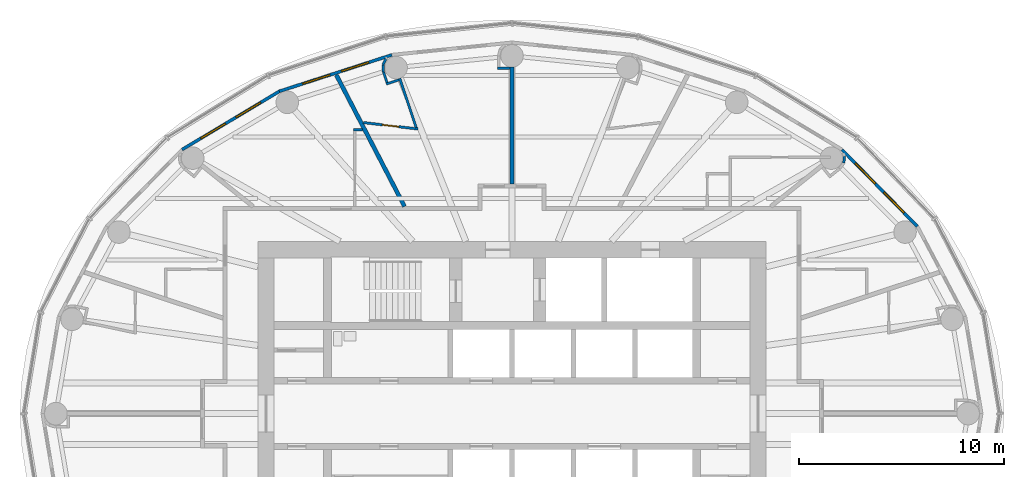
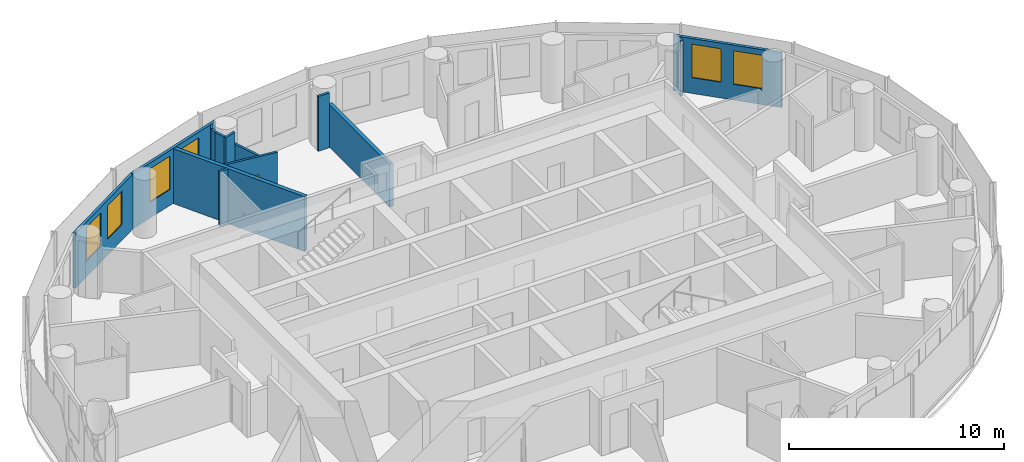
# One storey, part 12 of 16: 14 walls, 6 windows, 1 door, 7 openings.
"""IFC4 building model written with IfcOpenShell, lengths in metres."""

import ifcopenshell
import ifcopenshell.guid

model = None  # the IFC model being written
_history = None  # IfcOwnerHistory: only IFC2X3 demands one
_inside = {}  # id of a spatial element -> (the spatial element, [elements in it])
_under = {}  # id of a project, library or spatial element -> (it, [spatial elements below it])
_declared = {}  # id of a project -> (the project, [libraries it declares])
_typed = {}  # id of a type object -> (the type object, [elements of that type])
_made_of = {}  # id of a material, layer set ... -> (it, [elements and type objects made of it])


def new_model(schema):
    """Start an empty IFC model of exactly this schema.

    Asked for "IFC4X3", IfcOpenShell would pick the latest addendum, in which some entities
    have other attributes; the version numbers below select the first issue.
    IFC2X3 requires an IfcOwnerHistory on every rooted entity: one is made here for all.
    """
    global model, _history
    if schema == "IFC4X3":
        model = ifcopenshell.file(schema_version=(4, 3, 0, 0))
    else:
        model = ifcopenshell.file(schema=schema)
    _inside.clear()
    _under.clear()
    _declared.clear()
    _typed.clear()
    _made_of.clear()
    _history = None
    if model.schema == "IFC2X3":
        org = make("IfcOrganization", Name="unknown")
        user = make(
            "IfcPersonAndOrganization",
            ThePerson=make("IfcPerson", FamilyName="unknown"),
            TheOrganization=org,
        )
        app = make(
            "IfcApplication",
            ApplicationDeveloper=org,
            Version="unknown",
            ApplicationFullName="unknown",
            ApplicationIdentifier="unknown",
        )
        _history = make(
            "IfcOwnerHistory",
            OwningUser=user,
            OwningApplication=app,
            ChangeAction="ADDED",
            CreationDate=0,
        )
    return model


def make(cls, **values):
    """One entity of the class cls with the attributes given. An attribute that is None is left unset."""
    return model.create_entity(
        cls, **{name: value for name, value in values.items() if value is not None}
    )


def rooted(cls, **values):
    """An entity with a GlobalId (a new one), such as an element, a storey or a relation."""
    return make(cls, GlobalId=ifcopenshell.guid.new(), OwnerHistory=_history, **values)


def si_unit(unit_type, name, prefix=None):
    """IfcSIUnit, for example si_unit("LENGTHUNIT", "METRE", prefix="MILLI")."""
    return make("IfcSIUnit", UnitType=unit_type, Prefix=prefix, Name=name)


def assignment(units):
    """IfcUnitAssignment: the units of a project."""
    return None if units is None else make("IfcUnitAssignment", Units=units)


def point(xyz):
    """IfcCartesianPoint."""
    return None if xyz is None else make("IfcCartesianPoint", Coordinates=xyz)


def direction(xyz):
    """IfcDirection."""
    return None if xyz is None else make("IfcDirection", DirectionRatios=xyz)


def frame(location, z_axis=None, x_axis=None):
    """IfcAxis2Placement3D, a coordinate frame: its origin and axes. An axis left out is left unset."""
    return make(
        "IfcAxis2Placement3D",
        Location=point(location),
        Axis=direction(z_axis),
        RefDirection=direction(x_axis),
    )


def frame_2d(location, x_axis=None):
    """IfcAxis2Placement2D, a coordinate frame in the plane: its origin and x axis."""
    return make(
        "IfcAxis2Placement2D", Location=point(location), RefDirection=direction(x_axis)
    )


def origin():
    """The frame at (0, 0, 0) with its axes left unset."""
    return frame((0.0, 0.0, 0.0))


def place(relative_to, where):
    """IfcLocalPlacement: puts the frame where relative to a parent placement (None: the world)."""
    return make(
        "IfcLocalPlacement", PlacementRelTo=relative_to, RelativePlacement=where
    )


def context(
    kind, dimensions, precision=None, world=None, true_north=None, identifier=None
):
    """IfcGeometricRepresentationContext, for example the 3D "Model" context."""
    return make(
        "IfcGeometricRepresentationContext",
        ContextIdentifier=identifier,
        ContextType=kind,
        CoordinateSpaceDimension=dimensions,
        Precision=precision,
        WorldCoordinateSystem=world,
        TrueNorth=true_north,
    )


def subcontext(parent, identifier, kind, view, scale=None):
    """IfcGeometricRepresentationSubContext, for example "Body" below "Model"."""
    return make(
        "IfcGeometricRepresentationSubContext",
        ContextIdentifier=identifier,
        ContextType=kind,
        ParentContext=parent,
        TargetScale=scale,
        TargetView=view,
    )


def project(units=None, contexts=None):
    """IfcProject with its units and contexts."""
    return rooted(
        "IfcProject",
        Name="project",
        RepresentationContexts=contexts,
        UnitsInContext=assignment(units),
    )


def spatial(cls, under=None, at=None, **own):
    """A site, building, storey or space (cls), placed at a placement, below another one or the project."""
    s = rooted(cls, ObjectPlacement=at, **own)
    if under is not None:
        _under.setdefault(under.id(), (under, []))[1].append(s)
    return s


def profile(cls, at=None, kind="AREA", **sizes):
    """A parametric profile (cls). Its sizes go by their IFC names, for example OverallWidth=200.0."""
    return make(cls, ProfileType=kind, Position=at, **sizes)


def rectangle(**sizes):
    """IfcRectangleProfileDef."""
    return profile("IfcRectangleProfileDef", **sizes)


def extrude(swept, where, along, depth):
    """IfcExtrudedAreaSolid: the profile swept, set in the frame where, extruded along a direction by depth."""
    return make(
        "IfcExtrudedAreaSolid",
        SweptArea=swept,
        Position=where,
        ExtrudedDirection=direction(along),
        Depth=depth,
    )


def shape(context_of_items, identifier, shape_type, items):
    """IfcShapeRepresentation: the items that make up one representation, for example the "Body"."""
    return make(
        "IfcShapeRepresentation",
        ContextOfItems=context_of_items,
        RepresentationIdentifier=identifier,
        RepresentationType=shape_type,
        Items=items,
    )


def material(Name=None, Category=None):
    """IfcMaterial."""
    return make("IfcMaterial", Name=Name, Category=Category)


def layer(
    of_material, thickness, ventilated=None, Name=None, Category=None, Priority=None
):
    """IfcMaterialLayer: one layer of a wall or slab, of a material (None: an air gap)."""
    return make(
        "IfcMaterialLayer",
        Material=of_material,
        LayerThickness=thickness,
        IsVentilated=ventilated,
        Name=Name,
        Category=Category,
        Priority=Priority,
    )


def layer_set(layers, Name=None):
    """IfcMaterialLayerSet."""
    return make("IfcMaterialLayerSet", MaterialLayers=layers, LayerSetName=Name)


def made_of(thing, what):
    """Note that an element or type object is made of a material, layer set ...; save() writes the relation."""
    if what is not None:
        _made_of.setdefault(what.id(), (what, []))[1].append(thing)
    return thing


def type_object(cls, material=None, **own):
    """A type object (cls), such as IfcWallType, which elements share."""
    return made_of(rooted(cls, **own), material)


def element(
    cls,
    number,
    at=None,
    inside=None,
    cuts=None,
    type_object=None,
    material=None,
    context=None,
    identifier="Body",
    shape_type=None,
    held_by="IfcProductDefinitionShape",
    body=None,
    shapes=None,
    **own,
):
    """One element of the class cls, such as IfcWall. Its Tag is "e" and its number.

    at: its placement. inside: the storey or other place that contains it. cuts: it is an
    opening in that element (IfcRelVoidsElement). A single representation is given by context,
    identifier, shape_type and body (its items); several are given by shapes. held_by: the class
    of the entity that holds the representations. save() writes the other relations.
    """
    e = rooted(cls, Tag="e%d" % number, ObjectPlacement=at, **own)
    if body is not None:
        shapes = [shape(context, identifier, shape_type, body)]
    if shapes is not None:
        e.Representation = make(held_by, Representations=shapes)
    if inside is not None:
        _inside.setdefault(inside.id(), (inside, []))[1].append(e)
    if cuts is not None:
        rooted(
            "IfcRelVoidsElement", RelatingBuildingElement=cuts, RelatedOpeningElement=e
        )
    if type_object is not None:
        _typed.setdefault(type_object.id(), (type_object, []))[1].append(e)
    return made_of(e, material)


def fill(opening, filler):
    """IfcRelFillsElement: the door or window that sits in an opening."""
    return rooted(
        "IfcRelFillsElement",
        RelatingOpeningElement=opening,
        RelatedBuildingElement=filler,
    )


def aggregate(whole, parts):
    """IfcRelAggregates: a whole, such as a stair, and the parts it consists of."""
    return rooted("IfcRelAggregates", RelatingObject=whole, RelatedObjects=parts)


def save(model, path):
    """Write the relations noted so far, then the file.

    IfcRelAggregates (storeys below a building ...), IfcRelContainedInSpatialStructure (elements
    in a storey), IfcRelDefinesByType, IfcRelAssociatesMaterial and IfcRelDeclares: one each for
    every whole, place, type object, material and project.
    """
    for whole, parts in _under.values():
        aggregate(whole, parts)
    for where, things in _inside.values():
        rooted(
            "IfcRelContainedInSpatialStructure",
            RelatedElements=things,
            RelatingStructure=where,
        )
    for kind, things in _typed.values():
        rooted("IfcRelDefinesByType", RelatedObjects=things, RelatingType=kind)
    for what, things in _made_of.values():
        rooted("IfcRelAssociatesMaterial", RelatedObjects=things, RelatingMaterial=what)
    for by, libraries in _declared.values():
        rooted("IfcRelDeclares", RelatingContext=by, RelatedDefinitions=libraries)
    model.write(path)


model = new_model("IFC4")

# Units and contexts
model_context = context("Model", 3, precision=1e-05, world=origin(), true_north=direction((0.0, 1.0)))
body_context = subcontext(model_context, "Body", "Model", "MODEL_VIEW")
ifc_project = project(units=[si_unit("LENGTHUNIT", "METRE"), si_unit("AREAUNIT", "SQUARE_METRE"), si_unit("VOLUMEUNIT", "CUBIC_METRE"), si_unit("PLANEANGLEUNIT", "RADIAN"), si_unit("MASSUNIT", "GRAM", prefix="KILO")], contexts=[model_context])

# Site, building, storey
site_placement = place(None, origin())
site = spatial("IfcSite", under=ifc_project, at=site_placement, CompositionType="ELEMENT")
building_placement = place(site_placement, origin())
building = spatial("IfcBuilding", under=site, at=building_placement, Name="Hankou Lantern Tower", CompositionType="ELEMENT")
storey_placement = place(building_placement, frame((0.0, 0.0, 153.300048828125)))
storey = spatial("IfcBuildingStorey", under=building, at=storey_placement, Name="L40", CompositionType="ELEMENT", Elevation=153.300048828125)

# Wall, openings, windows
ifc_material_1 = material(Name="Aluminium spandrel panel on steel studs", Category="steel")
ifc_layer_1 = layer(ifc_material_1, 0.14990234375)
ifc_layer_set_1 = layer_set([ifc_layer_1], Name="Aluminium spandrel panel on steel studs")
wall_type_1 = type_object("IfcWallType", Name="EW1 INNER SKIN WALL 150", PredefinedType="ELEMENTEDWALL", material=ifc_layer_set_1)
wall_1_placement = place(storey_placement, frame((19.771728515625, 9.132080078125, 0.0), z_axis=(0.0, 0.0, 1.0), x_axis=(-0.700727467776, 0.71342905457, 0.0)))
wall_1 = element("IfcWall", 1, at=wall_1_placement, inside=storey, type_object=wall_type_1, Name="Inner skin R03-R04 L40", PredefinedType="ELEMENTEDWALL", context=body_context, shape_type="SweptSolid", body=[
    extrude(rectangle(XDim=5.247314453125, YDim=0.14990234375, at=frame_2d((2.62353515625, 0.0))), origin(), (0.0, 0.0, 1.0), 3.119873046875),
])
opening_1_placement = place(wall_1_placement, frame((0.923583984375, 0.0, 0.89990234375)))
opening_1 = element("IfcOpeningElement", 2, at=opening_1_placement, cuts=wall_1, Name="Opening W3", PredefinedType="OPENING", context=body_context, shape_type="SweptSolid", body=[
    extrude(rectangle(XDim=1.39990234375, YDim=1.89990234375, at=frame_2d((0.699951171875, 0.949951171875))), frame((0.0, 0.0849609375, 0.0), z_axis=(0.0, -1.0, 0.0), x_axis=(1.0, 0.0, 0.0)), (0.0, 0.0, 1.0), 0.169921875),
])
opening_2_placement = place(wall_1_placement, frame((2.923583984375, 0.0, 0.89990234375)))
opening_2 = element("IfcOpeningElement", 3, at=opening_2_placement, cuts=wall_1, Name="Opening W3", PredefinedType="OPENING", context=body_context, shape_type="SweptSolid", body=[
    extrude(rectangle(XDim=1.39990234375, YDim=1.89990234375, at=frame_2d((0.699951171875, 0.949951171875))), frame((0.0, 0.0849609375, 0.0), z_axis=(0.0, -1.0, 0.0), x_axis=(1.0, 0.0, 0.0)), (0.0, 0.0, 1.0), 0.169921875),
])
ifc_material_2 = material(Name="Aluminium framed double glazed window", Category="aluminium")
window_type = type_object("IfcWindowType", Name="W3 GUEST ROOM WINDOW 1400X1900", PartitioningType="DOUBLE_PANEL_VERTICAL", PredefinedType="WINDOW", material=ifc_material_2)
window_1_placement = place(opening_1_placement, origin())
window_1 = element("IfcWindow", 4, at=window_1_placement, inside=storey, type_object=window_type, Name="Window R03.1 L40", OverallHeight=1.89990234375, OverallWidth=1.39990234375, PartitioningType="SINGLE_PANEL", PredefinedType="WINDOW", context=body_context, shape_type="SweptSolid", body=[
    extrude(rectangle(XDim=1.39990234375, YDim=1.89990234375, at=frame_2d((0.699951171875, 0.949951171875))), frame((0.0, 0.030029296875, 0.0), z_axis=(0.0, -1.0, 0.0), x_axis=(1.0, 0.0, 0.0)), (0.0, 0.0, 1.0), 0.06005859375),
])
fill(opening_1, window_1)
window_2_placement = place(opening_2_placement, origin())
window_2 = element("IfcWindow", 5, at=window_2_placement, inside=storey, type_object=window_type, Name="Window R03.2 L40", OverallHeight=1.89990234375, OverallWidth=1.39990234375, PartitioningType="SINGLE_PANEL", PredefinedType="WINDOW", context=body_context, shape_type="SweptSolid", body=[
    extrude(rectangle(XDim=1.39990234375, YDim=1.89990234375, at=frame_2d((0.699951171875, 0.949951171875))), frame((0.0, 0.030029296875, 0.0), z_axis=(0.0, -1.0, 0.0), x_axis=(1.0, 0.0, 0.0)), (0.0, 0.0, 1.0), 0.06005859375),
])
fill(opening_2, window_2)

wall_2_placement = place(storey_placement, frame((-5.8603515625, 17.497314453125, 0.0), z_axis=(0.0, 0.0, 1.0), x_axis=(-0.951432482129, -0.307857486429, 0.0)))
wall_2 = element("IfcWall", 6, at=wall_2_placement, inside=storey, type_object=wall_type_1, Name="Inner skin R08-R09 L40", PredefinedType="ELEMENTEDWALL", context=body_context, shape_type="SweptSolid", body=[
    extrude(rectangle(XDim=5.76611328125, YDim=0.14990234375, at=frame_2d((2.883056640625, 0.0))), origin(), (0.0, 0.0, 1.0), 3.119873046875),
])
opening_3_placement = place(wall_2_placement, frame((1.18310546875, 0.0, 0.89990234375)))
opening_3 = element("IfcOpeningElement", 7, at=opening_3_placement, cuts=wall_2, Name="Opening W3", PredefinedType="OPENING", context=body_context, shape_type="SweptSolid", body=[
    extrude(rectangle(XDim=1.39990234375, YDim=1.89990234375, at=frame_2d((0.699951171875, 0.949951171875))), frame((0.0, 0.0849609375, 0.0), z_axis=(0.0, -1.0, 0.0), x_axis=(1.0, 0.0, 0.0)), (0.0, 0.0, 1.0), 0.169921875),
])
opening_4_placement = place(wall_2_placement, frame((3.18310546875, 0.0, 0.89990234375)))
opening_4 = element("IfcOpeningElement", 8, at=opening_4_placement, cuts=wall_2, Name="Opening W3", PredefinedType="OPENING", context=body_context, shape_type="SweptSolid", body=[
    extrude(rectangle(XDim=1.39990234375, YDim=1.89990234375, at=frame_2d((0.699951171875, 0.949951171875))), frame((0.0, 0.0849609375, 0.0), z_axis=(0.0, -1.0, 0.0), x_axis=(1.0, 0.0, 0.0)), (0.0, 0.0, 1.0), 0.169921875),
])
window_3_placement = place(opening_3_placement, origin())
window_3 = element("IfcWindow", 9, at=window_3_placement, inside=storey, type_object=window_type, Name="Window R08.1 L40", OverallHeight=1.89990234375, OverallWidth=1.39990234375, PartitioningType="SINGLE_PANEL", PredefinedType="WINDOW", context=body_context, shape_type="SweptSolid", body=[
    extrude(rectangle(XDim=1.39990234375, YDim=1.89990234375, at=frame_2d((0.699951171875, 0.949951171875))), frame((0.0, 0.030029296875, 0.0), z_axis=(0.0, -1.0, 0.0), x_axis=(1.0, 0.0, 0.0)), (0.0, 0.0, 1.0), 0.06005859375),
])
fill(opening_3, window_3)
window_4_placement = place(opening_4_placement, origin())
window_4 = element("IfcWindow", 10, at=window_4_placement, inside=storey, type_object=window_type, Name="Window R08.2 L40", OverallHeight=1.89990234375, OverallWidth=1.39990234375, PartitioningType="SINGLE_PANEL", PredefinedType="WINDOW", context=body_context, shape_type="SweptSolid", body=[
    extrude(rectangle(XDim=1.39990234375, YDim=1.89990234375, at=frame_2d((0.699951171875, 0.949951171875))), frame((0.0, 0.030029296875, 0.0), z_axis=(0.0, -1.0, 0.0), x_axis=(1.0, 0.0, 0.0)), (0.0, 0.0, 1.0), 0.06005859375),
])
fill(opening_4, window_4)

wall_3_placement = place(storey_placement, frame((-11.346435546875, 15.72216796875, 0.0), z_axis=(0.0, 0.0, 1.0), x_axis=(-0.857695199231, -0.514158482587, 0.0)))
wall_3 = element("IfcWall", 11, at=wall_3_placement, inside=storey, type_object=wall_type_1, Name="Inner skin R09-R10 L40", PredefinedType="ELEMENTEDWALL", context=body_context, shape_type="SweptSolid", body=[
    extrude(rectangle(XDim=5.5361328125, YDim=0.14990234375, at=frame_2d((2.76806640625, 0.0))), origin(), (0.0, 0.0, 1.0), 3.119873046875),
])
opening_5_placement = place(wall_3_placement, frame((1.068115234375, 0.0, 0.89990234375)))
opening_5 = element("IfcOpeningElement", 12, at=opening_5_placement, cuts=wall_3, Name="Opening W3", PredefinedType="OPENING", context=body_context, shape_type="SweptSolid", body=[
    extrude(rectangle(XDim=1.39990234375, YDim=1.89990234375, at=frame_2d((0.699951171875, 0.949951171875))), frame((0.0, 0.0849609375, 0.0), z_axis=(0.0, -1.0, 0.0), x_axis=(1.0, 0.0, 0.0)), (0.0, 0.0, 1.0), 0.169921875),
])
opening_6_placement = place(wall_3_placement, frame((3.068115234375, 0.0, 0.89990234375)))
opening_6 = element("IfcOpeningElement", 13, at=opening_6_placement, cuts=wall_3, Name="Opening W3", PredefinedType="OPENING", context=body_context, shape_type="SweptSolid", body=[
    extrude(rectangle(XDim=1.39990234375, YDim=1.89990234375, at=frame_2d((0.699951171875, 0.949951171875))), frame((0.0, 0.0849609375, 0.0), z_axis=(0.0, -1.0, 0.0), x_axis=(1.0, 0.0, 0.0)), (0.0, 0.0, 1.0), 0.169921875),
])
window_5_placement = place(opening_5_placement, origin())
window_5 = element("IfcWindow", 14, at=window_5_placement, inside=storey, type_object=window_type, Name="Window R09.1 L40", OverallHeight=1.89990234375, OverallWidth=1.39990234375, PartitioningType="SINGLE_PANEL", PredefinedType="WINDOW", context=body_context, shape_type="SweptSolid", body=[
    extrude(rectangle(XDim=1.39990234375, YDim=1.89990234375, at=frame_2d((0.699951171875, 0.949951171875))), frame((0.0, 0.030029296875, 0.0), z_axis=(0.0, -1.0, 0.0), x_axis=(1.0, 0.0, 0.0)), (0.0, 0.0, 1.0), 0.06005859375),
])
fill(opening_5, window_5)
window_6_placement = place(opening_6_placement, origin())
window_6 = element("IfcWindow", 15, at=window_6_placement, inside=storey, type_object=window_type, Name="Window R09.2 L40", OverallHeight=1.89990234375, OverallWidth=1.39990234375, PartitioningType="SINGLE_PANEL", PredefinedType="WINDOW", context=body_context, shape_type="SweptSolid", body=[
    extrude(rectangle(XDim=1.39990234375, YDim=1.89990234375, at=frame_2d((0.699951171875, 0.949951171875))), frame((0.0, 0.030029296875, 0.0), z_axis=(0.0, -1.0, 0.0), x_axis=(1.0, 0.0, 0.0)), (0.0, 0.0, 1.0), 0.06005859375),
])
fill(opening_6, window_6)

# Walls
ifc_material_3 = material(Name="Masonry lightweight concrete block", Category="masonry")
ifc_layer_2 = layer(ifc_material_3, 0.199951171875)
ifc_layer_set_2 = layer_set([ifc_layer_2], Name="Masonry lightweight concrete block")
wall_type_2 = type_object("IfcWallType", Name="IW1 GUEST ROOM PARTY WALL 200", PredefinedType="PARTITIONING", material=ifc_layer_set_2)
wall_4_placement = place(storey_placement, frame((0.0, 11.199951171875, 0.0), z_axis=(0.0, 0.0, 1.0), x_axis=(0.0, 1.0, 0.0)))
element("IfcWall", 16, at=wall_4_placement, inside=storey, type_object=wall_type_2, Name="Party wall R07", PredefinedType="PARTITIONING", context=body_context, shape_type="SweptSolid", body=[
    extrude(rectangle(XDim=5.699951171875, YDim=0.199951171875, at=frame_2d((2.85009765625, 0.0))), origin(), (0.0, 0.0, 1.0), 2.419921875),
])
wall_5_placement = place(storey_placement, frame((-5.239990234375, 10.10009765625, 0.0), z_axis=(0.0, 0.0, 1.0), x_axis=(-0.460532965373, 0.887642601391, 0.0)))
element("IfcWall", 17, at=wall_5_placement, inside=storey, type_object=wall_type_2, Name="Party wall R08-R09", PredefinedType="PARTITIONING", context=body_context, shape_type="SweptSolid", body=[
    extrude(rectangle(XDim=7.2314453125, YDim=0.199951171875, at=frame_2d((3.61572265625, 0.0))), origin(), (0.0, 0.0, 1.0), 3.119873046875),
])

# Wall, opening, door
ifc_material_4 = material(Name="Masonry lightweight concrete block", Category="masonry")
ifc_layer_3 = layer(ifc_material_4, 0.1201171875)
ifc_layer_set_3 = layer_set([ifc_layer_3], Name="Masonry lightweight concrete block")
wall_type_3 = type_object("IfcWallType", Name="IW3 BATHROOM WALL 120", PredefinedType="PARTITIONING", material=ifc_layer_set_3)
wall_6_placement = place(storey_placement, frame((-7.2529296875, 14.197021484375, 0.0), z_axis=(0.0, 0.0, 1.0), x_axis=(0.993128188393, -0.117031625725, 0.0)))
wall_6 = element("IfcWall", 18, at=wall_6_placement, inside=storey, type_object=wall_type_3, Name="Box wall 4004 1", PredefinedType="PARTITIONING", context=body_context, shape_type="SweptSolid", body=[
    extrude(rectangle(XDim=2.678466796875, YDim=0.1201171875, at=frame_2d((1.33935546875, 0.0))), origin(), (0.0, 0.0, 1.0), 3.119873046875),
])
opening_7_placement = place(wall_6_placement, frame((0.939208984375, 0.0, 0.0)))
opening_7 = element("IfcOpeningElement", 19, at=opening_7_placement, cuts=wall_6, Name="Opening D3", PredefinedType="OPENING", context=body_context, shape_type="SweptSolid", body=[
    extrude(rectangle(XDim=0.800048828125, YDim=2.10009765625, at=frame_2d((0.39990234375, 1.050048828125))), frame((0.0, 0.070068359375, 0.0), z_axis=(0.0, -1.0, 0.0), x_axis=(1.0, 0.0, 0.0)), (0.0, 0.0, 1.0), 0.14013671875),
])
ifc_material_5 = material(Name="Timber door leaf", Category="wood")
door_type = type_object("IfcDoorType", Name="D3 BATHROOM DOOR 800X2100", OperationType="SINGLE_SWING_LEFT", PredefinedType="DOOR", material=ifc_material_5)
door_placement = place(opening_7_placement, origin())
door = element("IfcDoor", 20, at=door_placement, inside=storey, type_object=door_type, Name="En-suite bathroom 4004 door", OperationType="SINGLE_SWING_RIGHT", OverallHeight=2.10009765625, OverallWidth=0.800048828125, PredefinedType="DOOR", context=body_context, shape_type="SweptSolid", body=[
    extrude(rectangle(XDim=0.800048828125, YDim=2.10009765625, at=frame_2d((0.39990234375, 1.050048828125))), frame((0.0, 0.02490234375, 0.0), z_axis=(0.0, -1.0, 0.0), x_axis=(1.0, 0.0, 0.0)), (0.0, 0.0, 1.0), 0.050048828125),
])
fill(opening_7, door)

# Walls
wall_7_placement = place(storey_placement, frame((-4.67138671875, 13.947509765625, 0.0), z_axis=(0.0, 0.0, 1.0), x_axis=(-0.317669167093, 0.948201613729, 0.0)))
element("IfcWall", 21, at=wall_7_placement, inside=storey, type_object=wall_type_3, Name="Box wall 4004 2", PredefinedType="PARTITIONING", context=body_context, shape_type="SweptSolid", body=[
    extrude(rectangle(XDim=2.5400390625, YDim=0.1201171875, at=frame_2d((1.27001953125, 0.0))), origin(), (0.0, 0.0, 1.0), 2.419921875),
])
wall_8_placement = place(storey_placement, frame((-5.51611328125, 16.280029296875, 0.0), z_axis=(0.0, 0.0, 1.0), x_axis=(-0.948157944392, -0.317799484717, 0.0)))
element("IfcWall", 22, at=wall_8_placement, inside=storey, type_object=wall_type_3, Name="Column casing 4004 return", PredefinedType="PARTITIONING", context=body_context, shape_type="SweptSolid", body=[
    extrude(rectangle(XDim=0.652099609375, YDim=0.1201171875, at=frame_2d((0.326171875, 0.0))), origin(), (0.0, 0.0, 1.0), 3.119873046875),
])
wall_9_placement = place(storey_placement, frame((-6.0966796875, 16.148681640625, 0.0), z_axis=(0.0, 0.0, 1.0), x_axis=(-0.317292604854, 0.948327687514, 0.0)))
element("IfcWall", 23, at=wall_9_placement, inside=storey, type_object=wall_type_3, Name="Column casing 4004", PredefinedType="PARTITIONING", context=body_context, shape_type="SweptSolid", body=[
    extrude(rectangle(XDim=0.550048828125, YDim=0.1201171875, at=frame_2d((0.27490234375, 0.0))), origin(), (0.0, 0.0, 1.0), 3.119873046875),
])
for number, where, z_axis, x_axis, name in (
    (24, (-6.271240234375, 16.67041015625, 0.0), (0.0, 0.0, 1.0), (-0.061477694849, 0.998108457552, 0.0), "Column casing 4004"),
    (25, (-6.2919921875, 17.00732421875, 0.0), (0.0, 0.0, 1.0), (0.445477128334, 0.895293319606, 0.0), "Column casing 4004"),
):
    element("IfcWall", number, at=place(storey_placement, frame(where, z_axis=z_axis, x_axis=x_axis)), inside=storey, type_object=wall_type_3, Name=name, PredefinedType="PARTITIONING", context=body_context, shape_type="SweptSolid", body=[
        extrude(rectangle(XDim=0.337646484375, YDim=0.1201171875, at=frame_2d((0.1689453125, 0.0))), origin(), (0.0, 0.0, 1.0), 3.119873046875),
    ])
wall_10_placement = place(storey_placement, frame((-7.28564453125, 13.85009765625, 0.0), z_axis=(0.0, 0.0, 1.0), x_axis=(-1.0, 0.0, 0.0)))
element("IfcWall", 26, at=wall_10_placement, inside=storey, type_object=wall_type_3, Name="Box wall 4005 1", PredefinedType="PARTITIONING", context=body_context, shape_type="SweptSolid", body=[
    extrude(rectangle(XDim=0.4443359375, YDim=0.1201171875, at=frame_2d((0.22216796875, 0.0))), origin(), (0.0, 0.0, 1.0), 3.119873046875),
])
ifc_material_6 = material(Name="Masonry lightweight concrete block", Category="masonry")
ifc_layer_4 = layer(ifc_material_6, 0.1201171875)
ifc_layer_set_4 = layer_set([ifc_layer_4], Name="Masonry lightweight concrete block")
wall_type_4 = type_object("IfcWallType", Name="IW4 PARTITION 120", PredefinedType="PARTITIONING", material=ifc_layer_set_4)
wall_11_placement = place(storey_placement, frame((16.18359375, 12.2236328125, 0.0), z_axis=(0.0, 0.0, 1.0), x_axis=(0.110669692975, 0.993857242795, 0.0)))
element("IfcWall", 27, at=wall_11_placement, inside=storey, type_object=wall_type_4, Name="Column casing R04", PredefinedType="PARTITIONING", context=body_context, shape_type="SweptSolid", body=[
    extrude(rectangle(XDim=0.33740234375, YDim=0.1201171875, at=frame_2d((0.168701171875, 0.0))), origin(), (0.0, 0.0, 1.0), 3.119873046875),
])
wall_12_placement = place(storey_placement, frame((-0.10009765625, 16.840087890625, 0.0), z_axis=(0.0, 0.0, 1.0), x_axis=(-1.0, 0.0, 0.0)))
element("IfcWall", 28, at=wall_12_placement, inside=storey, type_object=wall_type_4, Name="Column casing R07 return", PredefinedType="PARTITIONING", context=body_context, shape_type="SweptSolid", body=[
    extrude(rectangle(XDim=0.612060546875, YDim=0.1201171875, at=frame_2d((0.30615234375, 0.0))), origin(), (0.0, 0.0, 1.0), 3.119873046875),
])

save(model, "model.ifc")
